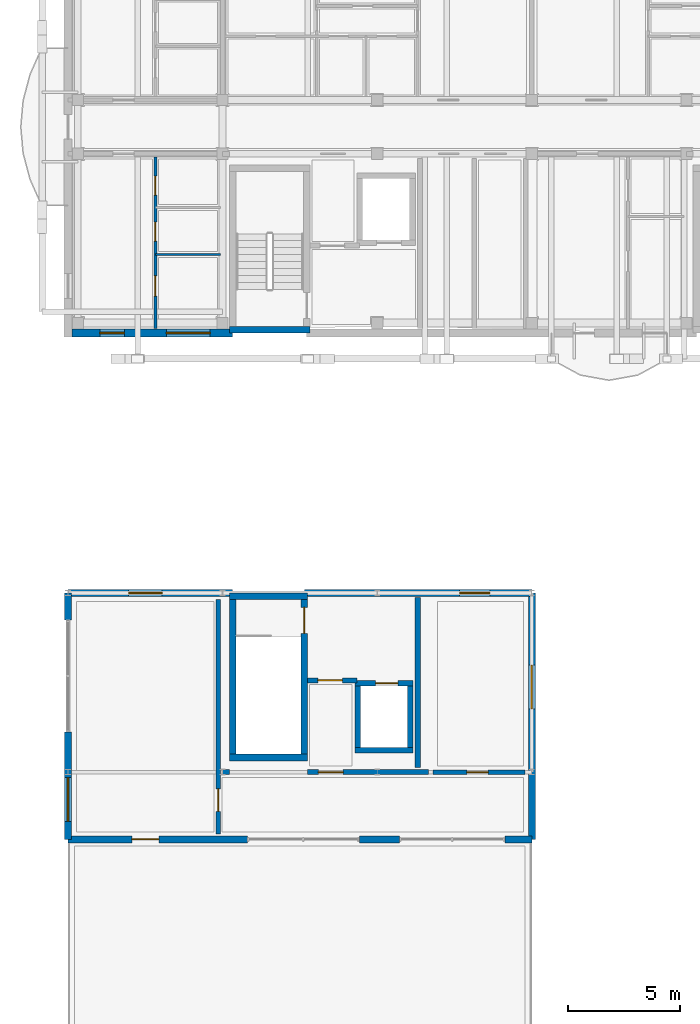
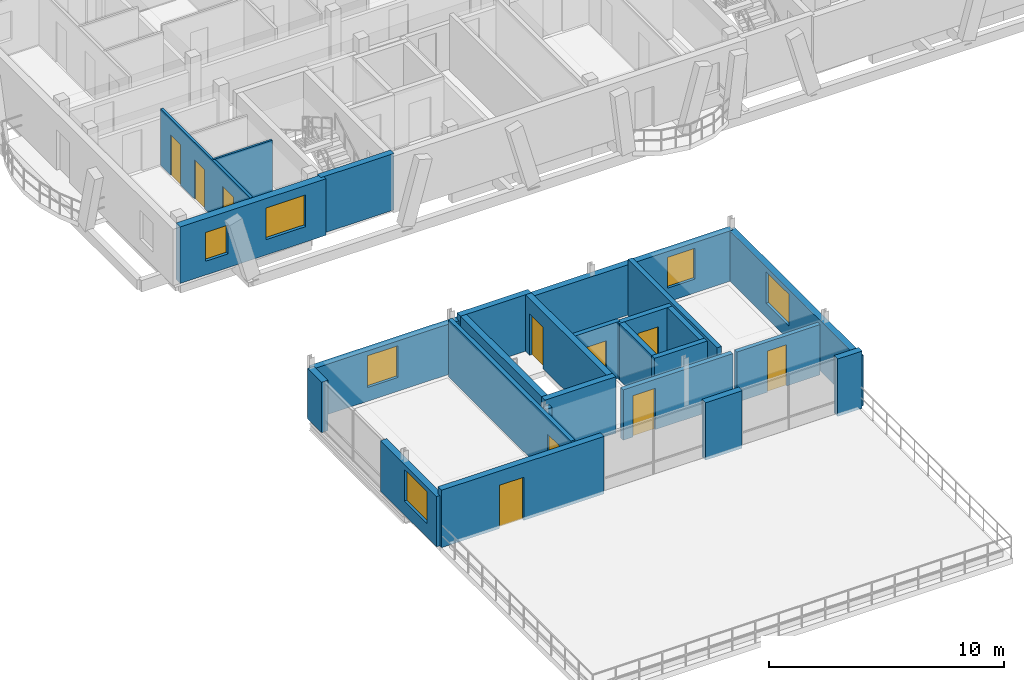
# One storey, part 71 of 109: 26 walls, 10 doors, 6 windows, 16 openings.
"""IFC4 building model written with IfcOpenShell, lengths in metres."""

from ifc_helpers import new_model, si_unit, direction, frame, frame_2d, origin, origin_with_axes, place, context, subcontext, project, spatial, rectangle, extrude, material, layer, layer_set, type_object, element, fill, save


model = new_model("IFC4")

# Units and contexts
model_context = context("Model", 3, precision=1e-05, world=origin(), true_north=direction((0.0, 1.0)))
body_context = subcontext(model_context, "Body", "Model", "MODEL_VIEW")
ifc_project = project(units=[si_unit("LENGTHUNIT", "METRE"), si_unit("AREAUNIT", "SQUARE_METRE"), si_unit("VOLUMEUNIT", "CUBIC_METRE"), si_unit("PLANEANGLEUNIT", "RADIAN"), si_unit("MASSUNIT", "GRAM", prefix="KILO")], contexts=[model_context])

# Site, building, storey
site_placement = place(None, origin())
site = spatial("IfcSite", under=ifc_project, at=site_placement, CompositionType="ELEMENT")
building_placement = place(site_placement, origin())
building = spatial("IfcBuilding", under=site, at=building_placement, Name="Zavelmont Quarter", CompositionType="ELEMENT")
storey_placement = place(building_placement, frame((0.0, 0.0, 8.0)))
storey = spatial("IfcBuildingStorey", under=building, at=storey_placement, Name="L02", CompositionType="ELEMENT", Elevation=8.0)

# Wall, openings, windows
ifc_material_1 = material(Name="Natural Belgian limestone", Category="masonry")
ifc_layer_1 = layer(ifc_material_1, 0.360107421875)
ifc_layer_set_1 = layer_set([ifc_layer_1], Name="Natural Belgian limestone")
wall_type_1 = type_object("IfcWallType", Name="EW02", PredefinedType="STANDARD", material=ifc_layer_set_1)
wall_1_placement = place(storey_placement, frame((0.169921875, 97.60009765625, 0.0), z_axis=(0.0, 0.0, 1.0), x_axis=(1.0, 0.0, 0.0)))
wall_1 = element("IfcWall", 1, at=wall_1_placement, inside=storey, type_object=wall_type_1, Name="L02 exterior limestone wall EW02", PredefinedType="STANDARD", context=body_context, shape_type="SweptSolid", body=[
    extrude(rectangle(XDim=7.18017578125, YDim=0.360107421875, at=frame_2d((3.590087890625, 0.0))), origin(), (0.0, 0.0, 1.0), 2.93994140625),
])
opening_1_placement = place(wall_1_placement, frame((1.25, 0.0, 0.719970703125)))
opening_1 = element("IfcOpeningElement", 2, at=opening_1_placement, cuts=wall_1, Name="Opening WN09", PredefinedType="OPENING", context=body_context, shape_type="SweptSolid", body=[
    extrude(rectangle(XDim=1.10009765625, YDim=1.5, at=frame_2d((0.550048828125, 0.75))), frame((0.0, 0.19189453125, 0.0), z_axis=(0.0, -1.0, 0.0), x_axis=(1.0, 0.0, 0.0)), (0.0, 0.0, 1.0), 0.384033203125),
])
opening_2_placement = place(wall_1_placement, frame((4.22509765625, 0.0, 0.800048828125)))
opening_2 = element("IfcOpeningElement", 3, at=opening_2_placement, cuts=wall_1, Name="Opening WN24", PredefinedType="OPENING", context=body_context, shape_type="SweptSolid", body=[
    extrude(rectangle(XDim=1.949951171875, YDim=1.64990234375, at=frame_2d((0.97509765625, 0.824951171875))), frame((0.0, 0.19189453125, 0.0), z_axis=(0.0, -1.0, 0.0), x_axis=(1.0, 0.0, 0.0)), (0.0, 0.0, 1.0), 0.384033203125),
])
ifc_material_2 = material(Name="Double low-E insulated glazing in thermally broken aluminium frame", Category="aluminium")
window_type_1 = type_object("IfcWindowType", Name="WN09", PartitioningType="SINGLE_PANEL", PredefinedType="WINDOW", material=ifc_material_2)
window_1_placement = place(opening_1_placement, origin_with_axes())
window_1 = element("IfcWindow", 4, at=window_1_placement, inside=storey, type_object=window_type_1, Name="L02 window WN09", OverallHeight=1.5, OverallWidth=1.10009765625, PartitioningType="SINGLE_PANEL", PredefinedType="WINDOW", context=body_context, shape_type="SweptSolid", body=[
    extrude(rectangle(XDim=1.10009765625, YDim=1.5, at=frame_2d((0.550048828125, 0.75))), frame((0.0, 0.030029296875, 0.0), z_axis=(0.0, -1.0, 0.0), x_axis=(1.0, 0.0, 0.0)), (0.0, 0.0, 1.0), 0.06005859375),
])
fill(opening_1, window_1)
window_type_2 = type_object("IfcWindowType", Name="WN24", PartitioningType="SINGLE_PANEL", PredefinedType="WINDOW", material=ifc_material_2)
window_2_placement = place(opening_2_placement, origin_with_axes())
window_2 = element("IfcWindow", 5, at=window_2_placement, inside=storey, type_object=window_type_2, Name="L02 window WN24", OverallHeight=1.64990234375, OverallWidth=1.949951171875, PartitioningType="SINGLE_PANEL", PredefinedType="WINDOW", context=body_context, shape_type="SweptSolid", body=[
    extrude(rectangle(XDim=1.949951171875, YDim=1.64990234375, at=frame_2d((0.97509765625, 0.824951171875))), frame((0.0, 0.030029296875, 0.0), z_axis=(0.0, -1.0, 0.0), x_axis=(1.0, 0.0, 0.0)), (0.0, 0.0, 1.0), 0.06005859375),
])
fill(opening_2, window_2)

# Wall, opening, door
ifc_layer_2 = layer(ifc_material_1, 0.31005859375)
ifc_layer_set_2 = layer_set([ifc_layer_2], Name="Natural Belgian limestone")
wall_type_2 = type_object("IfcWallType", Name="EW06", PredefinedType="STANDARD", material=ifc_layer_set_2)
wall_2_placement = place(storey_placement, frame((0.0, 75.0, 0.0), z_axis=(0.0, 0.0, 1.0), x_axis=(1.0, 0.0, 0.0)))
wall_2 = element("IfcWall", 6, at=wall_2_placement, inside=storey, type_object=wall_type_2, Name="L02 exterior limestone wall EW06", PredefinedType="STANDARD", context=body_context, shape_type="SweptSolid", body=[
    extrude(rectangle(XDim=8.0, YDim=0.31005859375, at=frame_2d((4.0, 0.0))), origin(), (0.0, 0.0, 1.0), 2.989990234375),
])
opening_3_placement = place(wall_2_placement, frame((2.85009765625, 0.0, 0.0)))
opening_3 = element("IfcOpeningElement", 7, at=opening_3_placement, cuts=wall_2, Name="Opening DR04C", PredefinedType="OPENING", context=body_context, shape_type="SweptSolid", body=[
    extrude(rectangle(XDim=1.199951171875, YDim=2.25, at=frame_2d((0.60009765625, 1.125))), frame((0.0, 0.1669921875, 0.0), z_axis=(0.0, -1.0, 0.0), x_axis=(1.0, 0.0, 0.0)), (0.0, 0.0, 1.0), 0.333984375),
])
ifc_material_3 = material(Name="Thermally broken aluminium and double safety glass", Category="aluminium")
door_type_1 = type_object("IfcDoorType", Name="DR04C", OperationType="NOTDEFINED", PredefinedType="DOOR", material=ifc_material_3)
door_1_placement = place(opening_3_placement, frame((1.199951171875, 0.0, 0.0), z_axis=(0.0, 0.0, 1.0), x_axis=(-1.0, 0.0, 0.0)))
door_1 = element("IfcDoor", 8, at=door_1_placement, inside=storey, type_object=door_type_1, Name="North Roof Garden greenhouse door", OperationType="SINGLE_SWING_LEFT", OverallHeight=2.25, OverallWidth=1.199951171875, PredefinedType="DOOR", context=body_context, shape_type="SweptSolid", body=[
    extrude(rectangle(XDim=1.199951171875, YDim=2.25, at=frame_2d((0.60009765625, 1.125))), frame((0.0, 0.02490234375, 0.0), z_axis=(0.0, -1.0, 0.0), x_axis=(1.0, 0.0, 0.0)), (0.0, 0.0, 1.0), 0.050048828125),
])
fill(opening_3, door_1)

# Walls
wall_3_placement = place(storey_placement, frame((13.0, 75.0, 0.0), z_axis=(0.0, 0.0, 1.0), x_axis=(1.0, 0.0, 0.0)))
element("IfcWall", 9, at=wall_3_placement, inside=storey, type_object=wall_type_2, Name="L02 exterior limestone wall EW06", PredefinedType="STANDARD", context=body_context, shape_type="SweptSolid", body=[
    extrude(rectangle(XDim=1.800048828125, YDim=0.31005859375, at=frame_2d((0.89990234375, 0.0))), origin(), (0.0, 0.0, 1.0), 2.989990234375),
])
wall_4_placement = place(storey_placement, frame((19.5, 75.0, 0.0), z_axis=(0.0, 0.0, 1.0), x_axis=(1.0, 0.0, 0.0)))
element("IfcWall", 10, at=wall_4_placement, inside=storey, type_object=wall_type_2, Name="L02 exterior limestone wall EW06", PredefinedType="STANDARD", context=body_context, shape_type="SweptSolid", body=[
    extrude(rectangle(XDim=1.199951171875, YDim=0.31005859375, at=frame_2d((0.60009765625, 0.0))), origin(), (0.0, 0.0, 1.0), 2.989990234375),
])

# Wall, opening, window
wall_5_placement = place(storey_placement, frame((0.0, 75.0, 0.0), z_axis=(0.0, 0.0, 1.0), x_axis=(0.0, 1.0, 0.0)))
wall_5 = element("IfcWall", 11, at=wall_5_placement, inside=storey, type_object=wall_type_2, Name="L02 exterior limestone wall EW06", PredefinedType="STANDARD", context=body_context, shape_type="SweptSolid", body=[
    extrude(rectangle(XDim=4.800048828125, YDim=0.31005859375, at=frame_2d((2.39990234375, 0.0))), origin(), (0.0, 0.0, 1.0), 2.6201171875),
])
opening_4_placement = place(wall_5_placement, frame((0.804931640625, 0.0, 0.719970703125)))
opening_4 = element("IfcOpeningElement", 12, at=opening_4_placement, cuts=wall_5, Name="Opening WN24", PredefinedType="OPENING", context=body_context, shape_type="SweptSolid", body=[
    extrude(rectangle(XDim=1.949951171875, YDim=1.64990234375, at=frame_2d((0.97509765625, 0.824951171875))), frame((0.0, 0.1669921875, 0.0), z_axis=(0.0, -1.0, 0.0), x_axis=(1.0, 0.0, 0.0)), (0.0, 0.0, 1.0), 0.333984375),
])
window_3_placement = place(opening_4_placement, origin_with_axes())
window_3 = element("IfcWindow", 13, at=window_3_placement, inside=storey, type_object=window_type_2, Name="L02 window WN24", OverallHeight=1.64990234375, OverallWidth=1.949951171875, PartitioningType="SINGLE_PANEL", PredefinedType="WINDOW", context=body_context, shape_type="SweptSolid", body=[
    extrude(rectangle(XDim=1.949951171875, YDim=1.64990234375, at=frame_2d((0.97509765625, 0.824951171875))), frame((0.0, 0.030029296875, 0.0), z_axis=(0.0, -1.0, 0.0), x_axis=(1.0, 0.0, 0.0)), (0.0, 0.0, 1.0), 0.06005859375),
])
fill(opening_4, window_3)

# Wall
wall_6_placement = place(storey_placement, frame((0.0, 84.800048828125, 0.0), z_axis=(0.0, 0.0, 1.0), x_axis=(0.0, 1.0, 0.0)))
element("IfcWall", 14, at=wall_6_placement, inside=storey, type_object=wall_type_2, Name="L02 exterior limestone wall EW06", PredefinedType="STANDARD", context=body_context, shape_type="SweptSolid", body=[
    extrude(rectangle(XDim=1.199951171875, YDim=0.31005859375, at=frame_2d((0.60009765625, 0.0))), origin(), (0.0, 0.0, 1.0), 2.6201171875),
])

# Wall, opening, window
wall_7_placement = place(storey_placement, frame((20.699951171875, 75.0, 0.0), z_axis=(0.0, 0.0, 1.0), x_axis=(0.0, 1.0, 0.0)))
wall_7 = element("IfcWall", 15, at=wall_7_placement, inside=storey, type_object=wall_type_2, Name="L02 exterior limestone wall EW06", PredefinedType="STANDARD", context=body_context, shape_type="SweptSolid", body=[
    extrude(rectangle(XDim=11.0, YDim=0.31005859375, at=frame_2d((5.5, 0.0))), origin(), (0.0, 0.0, 1.0), 2.6201171875),
])
opening_5_placement = place(wall_7_placement, frame((5.824951171875, 0.0, 0.719970703125)))
opening_5 = element("IfcOpeningElement", 16, at=opening_5_placement, cuts=wall_7, Name="Opening WN24", PredefinedType="OPENING", context=body_context, shape_type="SweptSolid", body=[
    extrude(rectangle(XDim=1.949951171875, YDim=1.64990234375, at=frame_2d((0.97509765625, 0.824951171875))), frame((0.0, 0.1669921875, 0.0), z_axis=(0.0, -1.0, 0.0), x_axis=(1.0, 0.0, 0.0)), (0.0, 0.0, 1.0), 0.333984375),
])
window_4_placement = place(opening_5_placement, origin_with_axes())
window_4 = element("IfcWindow", 17, at=window_4_placement, inside=storey, type_object=window_type_2, Name="L02 window WN24", OverallHeight=1.64990234375, OverallWidth=1.949951171875, PartitioningType="SINGLE_PANEL", PredefinedType="WINDOW", context=body_context, shape_type="SweptSolid", body=[
    extrude(rectangle(XDim=1.949951171875, YDim=1.64990234375, at=frame_2d((0.97509765625, 0.824951171875))), frame((0.0, 0.030029296875, 0.0), z_axis=(0.0, -1.0, 0.0), x_axis=(1.0, 0.0, 0.0)), (0.0, 0.0, 1.0), 0.06005859375),
])
fill(opening_5, window_4)

wall_8_placement = place(storey_placement, frame((0.0, 86.0, 0.0), z_axis=(0.0, 0.0, 1.0), x_axis=(1.0, 0.0, 0.0)))
wall_8 = element("IfcWall", 18, at=wall_8_placement, inside=storey, type_object=wall_type_2, Name="L02 exterior limestone wall EW06", PredefinedType="STANDARD", context=body_context, shape_type="SweptSolid", body=[
    extrude(rectangle(XDim=7.35009765625, YDim=0.31005859375, at=frame_2d((3.675048828125, 0.0))), origin(), (0.0, 0.0, 1.0), 2.6201171875),
])
opening_6_placement = place(wall_8_placement, frame((2.699951171875, 0.0, 0.719970703125)))
opening_6 = element("IfcOpeningElement", 19, at=opening_6_placement, cuts=wall_8, Name="Opening WN01", PredefinedType="OPENING", context=body_context, shape_type="SweptSolid", body=[
    extrude(rectangle(XDim=1.5, YDim=1.64990234375, at=frame_2d((0.75, 0.824951171875))), frame((0.0, 0.1669921875, 0.0), z_axis=(0.0, -1.0, 0.0), x_axis=(1.0, 0.0, 0.0)), (0.0, 0.0, 1.0), 0.333984375),
])
window_type_3 = type_object("IfcWindowType", Name="WN01", PartitioningType="SINGLE_PANEL", PredefinedType="WINDOW", material=ifc_material_2)
window_5_placement = place(opening_6_placement, origin_with_axes())
window_5 = element("IfcWindow", 20, at=window_5_placement, inside=storey, type_object=window_type_3, Name="L02 window WN01", OverallHeight=1.64990234375, OverallWidth=1.5, PartitioningType="SINGLE_PANEL", PredefinedType="WINDOW", context=body_context, shape_type="SweptSolid", body=[
    extrude(rectangle(XDim=1.5, YDim=1.64990234375, at=frame_2d((0.75, 0.824951171875))), frame((0.0, 0.030029296875, 0.0), z_axis=(0.0, -1.0, 0.0), x_axis=(1.0, 0.0, 0.0)), (0.0, 0.0, 1.0), 0.06005859375),
])
fill(opening_6, window_5)

wall_9_placement = place(storey_placement, frame((10.550048828125, 86.0, 0.0), z_axis=(0.0, 0.0, 1.0), x_axis=(1.0, 0.0, 0.0)))
wall_9 = element("IfcWall", 21, at=wall_9_placement, inside=storey, type_object=wall_type_2, Name="L02 exterior limestone wall EW06", PredefinedType="STANDARD", context=body_context, shape_type="SweptSolid", body=[
    extrude(rectangle(XDim=10.14990234375, YDim=0.31005859375, at=frame_2d((5.074951171875, 0.0))), origin(), (0.0, 0.0, 1.0), 2.6201171875),
])
opening_7_placement = place(wall_9_placement, frame((6.925048828125, 0.0, 0.719970703125)))
opening_7 = element("IfcOpeningElement", 22, at=opening_7_placement, cuts=wall_9, Name="Opening WN08", PredefinedType="OPENING", context=body_context, shape_type="SweptSolid", body=[
    extrude(rectangle(XDim=1.35009765625, YDim=1.60009765625, at=frame_2d((0.675048828125, 0.800048828125))), frame((0.0, 0.1669921875, 0.0), z_axis=(0.0, -1.0, 0.0), x_axis=(1.0, 0.0, 0.0)), (0.0, 0.0, 1.0), 0.333984375),
])
window_type_4 = type_object("IfcWindowType", Name="WN08", PartitioningType="SINGLE_PANEL", PredefinedType="WINDOW", material=ifc_material_2)
window_6_placement = place(opening_7_placement, origin_with_axes())
window_6 = element("IfcWindow", 23, at=window_6_placement, inside=storey, type_object=window_type_4, Name="L02 window WN08", OverallHeight=1.60009765625, OverallWidth=1.35009765625, PartitioningType="SINGLE_PANEL", PredefinedType="WINDOW", context=body_context, shape_type="SweptSolid", body=[
    extrude(rectangle(XDim=1.35009765625, YDim=1.60009765625, at=frame_2d((0.675048828125, 0.800048828125))), frame((0.0, 0.030029296875, 0.0), z_axis=(0.0, -1.0, 0.0), x_axis=(1.0, 0.0, 0.0)), (0.0, 0.0, 1.0), 0.06005859375),
])
fill(opening_7, window_6)

# Wall, opening, door
ifc_material_4 = material(Name="Calcium-silicate blockwork and acoustic plaster", Category="masonry")
ifc_layer_3 = layer(ifc_material_4, 0.199951171875)
ifc_layer_set_3 = layer_set([ifc_layer_3], Name="Calcium-silicate blockwork and acoustic plaster")
wall_type_3 = type_object("IfcWallType", Name="IW01", PredefinedType="PARTITIONING", material=ifc_layer_set_3)
wall_10_placement = place(storey_placement, frame((6.699951171875, 75.25, 0.0), z_axis=(0.0, 0.0, 1.0), x_axis=(0.0, 1.0, 0.0)))
wall_10 = element("IfcWall", 24, at=wall_10_placement, inside=storey, type_object=wall_type_3, Name="L02 Interior partition IW01", PredefinedType="PARTITIONING", context=body_context, shape_type="SweptSolid", body=[
    extrude(rectangle(XDim=10.449951171875, YDim=0.199951171875, at=frame_2d((5.22509765625, 0.0))), origin(), (0.0, 0.0, 1.0), 2.989990234375),
])
opening_8_placement = place(wall_10_placement, frame((1.0, 0.0, 0.0)))
opening_8 = element("IfcOpeningElement", 25, at=opening_8_placement, cuts=wall_10, Name="Opening DR07", PredefinedType="OPENING", context=body_context, shape_type="SweptSolid", body=[
    extrude(rectangle(XDim=1.0, YDim=2.14990234375, at=frame_2d((0.5, 1.074951171875))), frame((0.0, 0.11181640625, 0.0), z_axis=(0.0, -1.0, 0.0), x_axis=(1.0, 0.0, 0.0)), (0.0, 0.0, 1.0), 0.223876953125),
])
ifc_material_5 = material(Name="Solid-core oak fire leaf in steel frame", Category="steel")
door_type_2 = type_object("IfcDoorType", Name="DR07", OperationType="NOTDEFINED", PredefinedType="DOOR", material=ifc_material_5)
door_2_placement = place(opening_8_placement, frame((1.0, 0.0, 0.0), z_axis=(0.0, 0.0, 1.0), x_axis=(-1.0, 0.0, 0.0)))
door_2 = element("IfcDoor", 26, at=door_2_placement, inside=storey, type_object=door_type_2, Name="L02 door DR07", OperationType="SINGLE_SWING_RIGHT", OverallHeight=2.14990234375, OverallWidth=1.0, PredefinedType="DOOR", context=body_context, shape_type="SweptSolid", body=[
    extrude(rectangle(XDim=1.0, YDim=2.14990234375, at=frame_2d((0.5, 1.074951171875))), frame((0.0, 0.02490234375, 0.0), z_axis=(0.0, -1.0, 0.0), x_axis=(1.0, 0.0, 0.0)), (0.0, 0.0, 1.0), 0.050048828125),
])
fill(opening_8, door_2)

wall_11_placement = place(storey_placement, frame((16.300048828125, 78.0, 0.0), z_axis=(0.0, 0.0, 1.0), x_axis=(1.0, 0.0, 0.0)))
wall_11 = element("IfcWall", 27, at=wall_11_placement, inside=storey, type_object=wall_type_3, Name="L02 Interior partition IW01", PredefinedType="PARTITIONING", context=body_context, shape_type="SweptSolid", body=[
    extrude(rectangle(XDim=4.099853515625, YDim=0.199951171875, at=frame_2d((2.0498046875, 0.0))), origin(), (0.0, 0.0, 1.0), 2.6201171875),
])
opening_9_placement = place(wall_11_placement, frame((1.5, 0.0, 0.0)))
opening_9 = element("IfcOpeningElement", 28, at=opening_9_placement, cuts=wall_11, Name="Opening DR02", PredefinedType="OPENING", context=body_context, shape_type="SweptSolid", body=[
    extrude(rectangle(XDim=0.949951171875, YDim=2.14990234375, at=frame_2d((0.47509765625, 1.074951171875))), frame((0.0, 0.11181640625, 0.0), z_axis=(0.0, -1.0, 0.0), x_axis=(1.0, 0.0, 0.0)), (0.0, 0.0, 1.0), 0.223876953125),
])
door_type_3 = type_object("IfcDoorType", Name="DR02", OperationType="NOTDEFINED", PredefinedType="DOOR", material=ifc_material_5)
door_3_placement = place(opening_9_placement, origin_with_axes())
door_3 = element("IfcDoor", 29, at=door_3_placement, inside=storey, type_object=door_type_3, Name="L02 door DR02", OperationType="SINGLE_SWING_LEFT", OverallHeight=2.14990234375, OverallWidth=0.949951171875, PredefinedType="DOOR", context=body_context, shape_type="SweptSolid", body=[
    extrude(rectangle(XDim=0.949951171875, YDim=2.14990234375, at=frame_2d((0.47509765625, 1.074951171875))), frame((0.0, 0.02490234375, 0.0), z_axis=(0.0, -1.0, 0.0), x_axis=(1.0, 0.0, 0.0)), (0.0, 0.0, 1.0), 0.050048828125),
])
fill(opening_9, door_3)

# Wall
ifc_material_6 = material(Name="Reinforced masonry fire compartment wall", Category="masonry")
ifc_layer_4 = layer(ifc_material_6, 0.22509765625)
ifc_layer_set_4 = layer_set([ifc_layer_4], Name="Reinforced masonry fire compartment wall")
wall_type_4 = type_object("IfcWallType", Name="IW02", PredefinedType="PARTITIONING", material=ifc_layer_set_4)
wall_12_placement = place(storey_placement, frame((15.610107421875, 78.199951171875, 0.0), z_axis=(0.0, 0.0, 1.0), x_axis=(0.0, 1.0, 0.0)))
element("IfcWall", 30, at=wall_12_placement, inside=storey, type_object=wall_type_4, Name="L02 Firefighting lobby enclosure wall IW02", PredefinedType="PARTITIONING", context=body_context, shape_type="SweptSolid", body=[
    extrude(rectangle(XDim=7.60009765625, YDim=0.22509765625, at=frame_2d((3.800048828125, 0.0))), origin(), (0.0, 0.0, 1.0), 2.93994140625),
])

# Wall, opening, door
wall_13_placement = place(storey_placement, frame((10.699951171875, 82.10009765625, 0.0), z_axis=(0.0, 0.0, 1.0), x_axis=(1.0, 0.0, 0.0)))
wall_13 = element("IfcWall", 31, at=wall_13_placement, inside=storey, type_object=wall_type_4, Name="L02 Firefighting lobby threshold wall IW02", PredefinedType="PARTITIONING", context=body_context, shape_type="SweptSolid", body=[
    extrude(rectangle(XDim=2.199951171875, YDim=0.22509765625, at=frame_2d((1.10009765625, 0.0))), origin(), (0.0, 0.0, 1.0), 2.93994140625),
])
opening_10_placement = place(wall_13_placement, frame((0.449951171875, 0.0, 0.0)))
opening_10 = element("IfcOpeningElement", 32, at=opening_10_placement, cuts=wall_13, Name="Opening DR10", PredefinedType="OPENING", context=body_context, shape_type="SweptSolid", body=[
    extrude(rectangle(XDim=1.10009765625, YDim=2.14990234375, at=frame_2d((0.550048828125, 1.074951171875))), frame((0.0, 0.12451171875, 0.0), z_axis=(0.0, -1.0, 0.0), x_axis=(1.0, 0.0, 0.0)), (0.0, 0.0, 1.0), 0.2490234375),
])
ifc_material_7 = material(Name="Painted steel lobby fire door", Category="steel")
door_type_4 = type_object("IfcDoorType", Name="DR10", OperationType="NOTDEFINED", PredefinedType="DOOR", material=ifc_material_7)
door_4_placement = place(opening_10_placement, origin_with_axes())
door_4 = element("IfcDoor", 33, at=door_4_placement, inside=storey, type_object=door_type_4, Name="Firefighting lobby fire door", OperationType="SINGLE_SWING_LEFT", OverallHeight=2.14990234375, OverallWidth=1.10009765625, PredefinedType="DOOR", context=body_context, shape_type="SweptSolid", body=[
    extrude(rectangle(XDim=1.10009765625, YDim=2.14990234375, at=frame_2d((0.550048828125, 1.074951171875))), frame((0.0, 0.02490234375, 0.0), z_axis=(0.0, -1.0, 0.0), x_axis=(1.0, 0.0, 0.0)), (0.0, 0.0, 1.0), 0.050048828125),
])
fill(opening_10, door_4)

# Wall
wall_14_placement = place(storey_placement, frame((6.89990234375, 78.0, 0.0), z_axis=(0.0, 0.0, 1.0), x_axis=(1.0, 0.0, 0.0)))
element("IfcWall", 34, at=wall_14_placement, inside=storey, type_object=wall_type_4, Name="L02 Core corridor wall IW02", PredefinedType="PARTITIONING", context=body_context, shape_type="SweptSolid", body=[
    extrude(rectangle(XDim=0.300048828125, YDim=0.22509765625, at=frame_2d((0.14990234375, 0.0))), origin(), (0.0, 0.0, 1.0), 2.93994140625),
])

# Wall, opening, door
wall_15_placement = place(storey_placement, frame((10.699951171875, 78.0, 0.0), z_axis=(0.0, 0.0, 1.0), x_axis=(1.0, 0.0, 0.0)))
wall_15 = element("IfcWall", 35, at=wall_15_placement, inside=storey, type_object=wall_type_4, Name="L02 Core corridor fire wall IW02", PredefinedType="PARTITIONING", context=body_context, shape_type="SweptSolid", body=[
    extrude(rectangle(XDim=5.400146484375, YDim=0.22509765625, at=frame_2d((2.7001953125, 0.0))), origin(), (0.0, 0.0, 1.0), 2.6201171875),
])
opening_11_placement = place(wall_15_placement, frame((0.47509765625, 0.0, 0.0)))
opening_11 = element("IfcOpeningElement", 36, at=opening_11_placement, cuts=wall_15, Name="Opening DR10", PredefinedType="OPENING", context=body_context, shape_type="SweptSolid", body=[
    extrude(rectangle(XDim=1.10009765625, YDim=2.14990234375, at=frame_2d((0.550048828125, 1.074951171875))), frame((0.0, 0.12451171875, 0.0), z_axis=(0.0, -1.0, 0.0), x_axis=(1.0, 0.0, 0.0)), (0.0, 0.0, 1.0), 0.2490234375),
])
door_5_placement = place(opening_11_placement, origin_with_axes())
door_5 = element("IfcDoor", 37, at=door_5_placement, inside=storey, type_object=door_type_4, Name="Core vestibule fire door", OperationType="SINGLE_SWING_RIGHT", OverallHeight=2.14990234375, OverallWidth=1.10009765625, PredefinedType="DOOR", context=body_context, shape_type="SweptSolid", body=[
    extrude(rectangle(XDim=1.10009765625, YDim=2.14990234375, at=frame_2d((0.550048828125, 1.074951171875))), frame((0.0, 0.02490234375, 0.0), z_axis=(0.0, -1.0, 0.0), x_axis=(1.0, 0.0, 0.0)), (0.0, 0.0, 1.0), 0.050048828125),
])
fill(opening_11, door_5)

# Wall, openings, doors
ifc_material_8 = material(Name="Double gypsum board on acoustic steel stud", Category="steel")
ifc_layer_5 = layer(ifc_material_8, 0.125)
ifc_layer_set_5 = layer_set([ifc_layer_5], Name="Double gypsum board on acoustic steel stud")
wall_type_5 = type_object("IfcWallType", Name="IW03", PredefinedType="PARTITIONING", material=ifc_layer_set_5)
wall_16_placement = place(storey_placement, frame((3.89990234375, 105.449951171875, 0.0), z_axis=(0.0, 0.0, 1.0), x_axis=(0.0, -1.0, 0.0)))
wall_16 = element("IfcWall", 38, at=wall_16_placement, inside=storey, type_object=wall_type_5, Name="L02 Partition IW03", PredefinedType="PARTITIONING", context=body_context, shape_type="SweptSolid", body=[
    extrude(rectangle(XDim=7.64990234375, YDim=0.125, at=frame_2d((3.824951171875, 0.0))), origin(), (0.0, 0.0, 1.0), 2.93994140625),
])
opening_12_placement = place(wall_16_placement, frame((0.85009765625, 0.0, 0.0)))
opening_12 = element("IfcOpeningElement", 39, at=opening_12_placement, cuts=wall_16, Name="Opening DR16", PredefinedType="OPENING", context=body_context, shape_type="SweptSolid", body=[
    extrude(rectangle(XDim=0.85009765625, YDim=2.10009765625, at=frame_2d((0.425048828125, 1.050048828125))), frame((0.0, 0.074462890625, 0.0), z_axis=(0.0, -1.0, 0.0), x_axis=(1.0, 0.0, 0.0)), (0.0, 0.0, 1.0), 0.14892578125),
])
opening_13_placement = place(wall_16_placement, frame((2.89990234375, 0.0, 0.0)))
opening_13 = element("IfcOpeningElement", 40, at=opening_13_placement, cuts=wall_16, Name="Opening DR06", PredefinedType="OPENING", context=body_context, shape_type="SweptSolid", body=[
    extrude(rectangle(XDim=0.85009765625, YDim=2.050048828125, at=frame_2d((0.425048828125, 1.02490234375))), frame((0.0, 0.074462890625, 0.0), z_axis=(0.0, -1.0, 0.0), x_axis=(1.0, 0.0, 0.0)), (0.0, 0.0, 1.0), 0.14892578125),
])
opening_14_placement = place(wall_16_placement, frame((5.300048828125, 0.0, 0.0)))
opening_14 = element("IfcOpeningElement", 41, at=opening_14_placement, cuts=wall_16, Name="Opening DR05", PredefinedType="OPENING", context=body_context, shape_type="SweptSolid", body=[
    extrude(rectangle(XDim=0.89990234375, YDim=2.10009765625, at=frame_2d((0.449951171875, 1.050048828125))), frame((0.0, 0.074462890625, 0.0), z_axis=(0.0, -1.0, 0.0), x_axis=(1.0, 0.0, 0.0)), (0.0, 0.0, 1.0), 0.14892578125),
])
ifc_material_9 = material(Name="Engineered oak flush interior door")
door_type_5 = type_object("IfcDoorType", Name="DR05", OperationType="NOTDEFINED", PredefinedType="DOOR", material=ifc_material_9)
door_6_placement = place(opening_14_placement, origin_with_axes())
door_6 = element("IfcDoor", 42, at=door_6_placement, inside=storey, type_object=door_type_5, Name="L02 door DR05", OperationType="SINGLE_SWING_RIGHT", OverallHeight=2.10009765625, OverallWidth=0.89990234375, PredefinedType="DOOR", context=body_context, shape_type="SweptSolid", body=[
    extrude(rectangle(XDim=0.89990234375, YDim=2.10009765625, at=frame_2d((0.449951171875, 1.050048828125))), frame((0.0, 0.02490234375, 0.0), z_axis=(0.0, -1.0, 0.0), x_axis=(1.0, 0.0, 0.0)), (0.0, 0.0, 1.0), 0.050048828125),
])
fill(opening_14, door_6)
ifc_material_10 = material(Name="Moisture-resistant painted wet-room door")
door_type_6 = type_object("IfcDoorType", Name="DR06", OperationType="NOTDEFINED", PredefinedType="DOOR", material=ifc_material_10)
door_7_placement = place(opening_13_placement, frame((0.85009765625, 0.0, 0.0), z_axis=(0.0, 0.0, 1.0), x_axis=(-1.0, 0.0, 0.0)))
door_7 = element("IfcDoor", 43, at=door_7_placement, inside=storey, type_object=door_type_6, Name="L02 door DR06", OperationType="SINGLE_SWING_LEFT", OverallHeight=2.050048828125, OverallWidth=0.85009765625, PredefinedType="DOOR", context=body_context, shape_type="SweptSolid", body=[
    extrude(rectangle(XDim=0.85009765625, YDim=2.050048828125, at=frame_2d((0.425048828125, 1.02490234375))), frame((0.0, 0.02490234375, 0.0), z_axis=(0.0, -1.0, 0.0), x_axis=(1.0, 0.0, 0.0)), (0.0, 0.0, 1.0), 0.050048828125),
])
fill(opening_13, door_7)
door_type_7 = type_object("IfcDoorType", Name="DR16", OperationType="NOTDEFINED", PredefinedType="DOOR", material=ifc_material_9)
door_8_placement = place(opening_12_placement, origin_with_axes())
door_8 = element("IfcDoor", 44, at=door_8_placement, inside=storey, type_object=door_type_7, Name="L02 door DR16", OperationType="SINGLE_SWING_RIGHT", OverallHeight=2.10009765625, OverallWidth=0.85009765625, PredefinedType="DOOR", context=body_context, shape_type="SweptSolid", body=[
    extrude(rectangle(XDim=0.85009765625, YDim=2.10009765625, at=frame_2d((0.425048828125, 1.050048828125))), frame((0.0, 0.02490234375, 0.0), z_axis=(0.0, -1.0, 0.0), x_axis=(1.0, 0.0, 0.0)), (0.0, 0.0, 1.0), 0.050048828125),
])
fill(opening_12, door_8)

# Walls
ifc_material_11 = material(Name="Moisture-resistant gypsum board on steel stud", Category="steel")
ifc_layer_6 = layer(ifc_material_11, 0.10009765625)
ifc_layer_set_6 = layer_set([ifc_layer_6], Name="Moisture-resistant gypsum board on steel stud")
wall_type_6 = type_object("IfcWallType", Name="IW04", PredefinedType="PARTITIONING", material=ifc_layer_set_6)
wall_17_placement = place(storey_placement, frame((3.89990234375, 101.10009765625, 0.0), z_axis=(0.0, 0.0, 1.0), x_axis=(1.0, 0.0, 0.0)))
element("IfcWall", 45, at=wall_17_placement, inside=storey, type_object=wall_type_6, Name="L02 Partition IW04", PredefinedType="PARTITIONING", context=body_context, shape_type="SweptSolid", body=[
    extrude(rectangle(XDim=2.900146484375, YDim=0.10009765625, at=frame_2d((1.4501953125, 0.0))), origin(), (0.0, 0.0, 1.0), 2.93994140625),
])
ifc_material_12 = material(Name="Concrete C40/50", Category="concrete")
ifc_layer_7 = layer(ifc_material_12, 0.300048828125)
ifc_layer_set_7 = layer_set([ifc_layer_7], Name="Concrete C40/50")
wall_type_7 = type_object("IfcWallType", Name="SW01", PredefinedType="SHEAR", material=ifc_layer_set_7)
wall_18_placement = place(storey_placement, frame((7.199951171875, 78.64990234375, 0.0), z_axis=(0.0, 0.0, 1.0), x_axis=(1.0, 0.0, 0.0)))
element("IfcWall", 46, at=wall_18_placement, inside=storey, type_object=wall_type_7, Name="L02 ST14 corridor shear wall SW01", PredefinedType="SHEAR", context=body_context, shape_type="SweptSolid", body=[
    extrude(rectangle(XDim=3.5, YDim=0.300048828125, at=frame_2d((1.75, 0.0))), origin(), (0.0, 0.0, 1.0), 2.93994140625),
])
wall_19_placement = place(storey_placement, frame((7.35009765625, 78.5, 0.0), z_axis=(0.0, 0.0, 1.0), x_axis=(0.0, 1.0, 0.0)))
element("IfcWall", 47, at=wall_19_placement, inside=storey, type_object=wall_type_7, Name="L02 ST14 west shear wall SW01", PredefinedType="SHEAR", context=body_context, shape_type="SweptSolid", body=[
    extrude(rectangle(XDim=7.5, YDim=0.300048828125, at=frame_2d((3.75, 0.0))), origin(), (0.0, 0.0, 1.0), 2.93994140625),
])

# Wall, opening, door
wall_20_placement = place(storey_placement, frame((10.550048828125, 78.5, 0.0), z_axis=(0.0, 0.0, 1.0), x_axis=(0.0, 1.0, 0.0)))
wall_20 = element("IfcWall", 48, at=wall_20_placement, inside=storey, type_object=wall_type_7, Name="L02 ST14 lobby shear wall SW01", PredefinedType="SHEAR", context=body_context, shape_type="SweptSolid", body=[
    extrude(rectangle(XDim=7.5, YDim=0.300048828125, at=frame_2d((3.75, 0.0))), origin(), (0.0, 0.0, 1.0), 2.93994140625),
])
opening_15_placement = place(wall_20_placement, frame((5.699951171875, 0.0, 0.0)))
opening_15 = element("IfcOpeningElement", 49, at=opening_15_placement, cuts=wall_20, Name="Opening DR09", PredefinedType="OPENING", context=body_context, shape_type="SweptSolid", body=[
    extrude(rectangle(XDim=1.14990234375, YDim=2.14990234375, at=frame_2d((0.574951171875, 1.074951171875))), frame((0.0, 0.162109375, 0.0), z_axis=(0.0, -1.0, 0.0), x_axis=(1.0, 0.0, 0.0)), (0.0, 0.0, 1.0), 0.323974609375),
])
ifc_material_13 = material(Name="Painted steel stair-core fire door", Category="steel")
door_type_8 = type_object("IfcDoorType", Name="DR09", OperationType="NOTDEFINED", PredefinedType="DOOR", material=ifc_material_13)
door_9_placement = place(opening_15_placement, origin_with_axes())
door_9 = element("IfcDoor", 50, at=door_9_placement, inside=storey, type_object=door_type_8, Name="ST14 protected stair door", OperationType="SINGLE_SWING_LEFT", OverallHeight=2.14990234375, OverallWidth=1.14990234375, PredefinedType="DOOR", context=body_context, shape_type="SweptSolid", body=[
    extrude(rectangle(XDim=1.14990234375, YDim=2.14990234375, at=frame_2d((0.574951171875, 1.074951171875))), frame((0.0, 0.02490234375, 0.0), z_axis=(0.0, -1.0, 0.0), x_axis=(1.0, 0.0, 0.0)), (0.0, 0.0, 1.0), 0.050048828125),
])
fill(opening_15, door_9)

ifc_layer_8 = layer(ifc_material_12, 0.25)
ifc_layer_set_8 = layer_set([ifc_layer_8], Name="Concrete C40/50")
wall_type_8 = type_object("IfcWallType", Name="SW02", PredefinedType="SHEAR", material=ifc_layer_set_8)
wall_21_placement = place(storey_placement, frame((12.800048828125, 81.97509765625, 0.0), z_axis=(0.0, 0.0, 1.0), x_axis=(1.0, 0.0, 0.0)))
wall_21 = element("IfcWall", 51, at=wall_21_placement, inside=storey, type_object=wall_type_8, Name="L02 Lift LF12 landing shaft wall SW02", PredefinedType="SHEAR", context=body_context, shape_type="SweptSolid", body=[
    extrude(rectangle(XDim=2.599853515625, YDim=0.25, at=frame_2d((1.2998046875, 0.0))), origin(), (0.0, 0.0, 1.0), 2.93994140625),
])
opening_16_placement = place(wall_21_placement, frame((0.925048828125, 0.0, 0.0)))
opening_16 = element("IfcOpeningElement", 52, at=opening_16_placement, cuts=wall_21, Name="Opening LD01", PredefinedType="OPENING", context=body_context, shape_type="SweptSolid", body=[
    extrude(rectangle(XDim=1.0, YDim=2.10009765625, at=frame_2d((0.5, 1.050048828125))), frame((0.0, 0.136962890625, 0.0), z_axis=(0.0, -1.0, 0.0), x_axis=(1.0, 0.0, 0.0)), (0.0, 0.0, 1.0), 0.27392578125),
])
ifc_material_14 = material(Name="Brushed stainless-steel automatic sliding landing door", Category="steel")
door_type_9 = type_object("IfcDoorType", Name="LD01", OperationType="SLIDING_TO_LEFT", PredefinedType="DOOR", material=ifc_material_14)
door_10_placement = place(opening_16_placement, origin_with_axes())
door_10 = element("IfcDoor", 53, at=door_10_placement, inside=storey, type_object=door_type_9, Name="Lift LF12 sliding landing door", OperationType="SLIDING_TO_LEFT", OverallHeight=2.10009765625, OverallWidth=1.0, PredefinedType="DOOR", context=body_context, shape_type="SweptSolid", body=[
    extrude(rectangle(XDim=1.0, YDim=2.10009765625, at=frame_2d((0.5, 1.050048828125))), frame((0.0, 0.02490234375, 0.0), z_axis=(0.0, -1.0, 0.0), x_axis=(1.0, 0.0, 0.0)), (0.0, 0.0, 1.0), 0.050048828125),
])
fill(opening_16, door_10)

# Walls
wall_22_placement = place(storey_placement, frame((12.800048828125, 78.97509765625, 0.0), z_axis=(0.0, 0.0, 1.0), x_axis=(1.0, 0.0, 0.0)))
element("IfcWall", 54, at=wall_22_placement, inside=storey, type_object=wall_type_8, Name="L02 Lift LF12 back shaft wall SW02", PredefinedType="SHEAR", context=body_context, shape_type="SweptSolid", body=[
    extrude(rectangle(XDim=2.599853515625, YDim=0.25, at=frame_2d((1.2998046875, 0.0))), origin(), (0.0, 0.0, 1.0), 2.93994140625),
])
for number, where, z_axis, x_axis, name in (
    (55, (12.925048828125, 78.85009765625, 0.0), (0.0, 0.0, 1.0), (0.0, 1.0, 0.0), "L02 Lift LF12 west shaft wall SW02"),
    (56, (15.27490234375, 78.85009765625, 0.0), (0.0, 0.0, 1.0), (0.0, 1.0, 0.0), "L02 Lift LF12 east shaft wall SW02"),
):
    element("IfcWall", number, at=place(storey_placement, frame(where, z_axis=z_axis, x_axis=x_axis)), inside=storey, type_object=wall_type_8, Name=name, PredefinedType="SHEAR", context=body_context, shape_type="SweptSolid", body=[
        extrude(rectangle(XDim=3.25, YDim=0.25, at=frame_2d((1.625, 0.0))), origin(), (0.0, 0.0, 1.0), 2.93994140625),
    ])
ifc_layer_9 = layer(ifc_material_12, 0.300048828125)
ifc_layer_set_9 = layer_set([ifc_layer_9], Name="Concrete C40/50")
wall_type_9 = type_object("IfcWallType", Name="SW03", PredefinedType="SHEAR", material=ifc_layer_set_9)
wall_23_placement = place(storey_placement, frame((7.199951171875, 97.75, 0.0), z_axis=(0.0, 0.0, 1.0), x_axis=(1.0, 0.0, 0.0)))
element("IfcWall", 57, at=wall_23_placement, inside=storey, type_object=wall_type_9, Name="L02 ST03 outer shear wall SW03", PredefinedType="SHEAR", context=body_context, shape_type="SweptSolid", body=[
    extrude(rectangle(XDim=3.60009765625, YDim=0.300048828125, at=frame_2d((1.800048828125, 0.0))), origin(), (0.0, 0.0, 1.0), 2.93994140625),
])
wall_24_placement = place(storey_placement, frame((7.199951171875, 85.85009765625, 0.0), z_axis=(0.0, 0.0, 1.0), x_axis=(1.0, 0.0, 0.0)))
element("IfcWall", 58, at=wall_24_placement, inside=storey, type_object=wall_type_9, Name="L02 ST14 outer shear wall SW03", PredefinedType="SHEAR", context=body_context, shape_type="SweptSolid", body=[
    extrude(rectangle(XDim=3.5, YDim=0.300048828125, at=frame_2d((1.75, 0.0))), origin(), (0.0, 0.0, 1.0), 2.93994140625),
])

save(model, "model.ifc")
